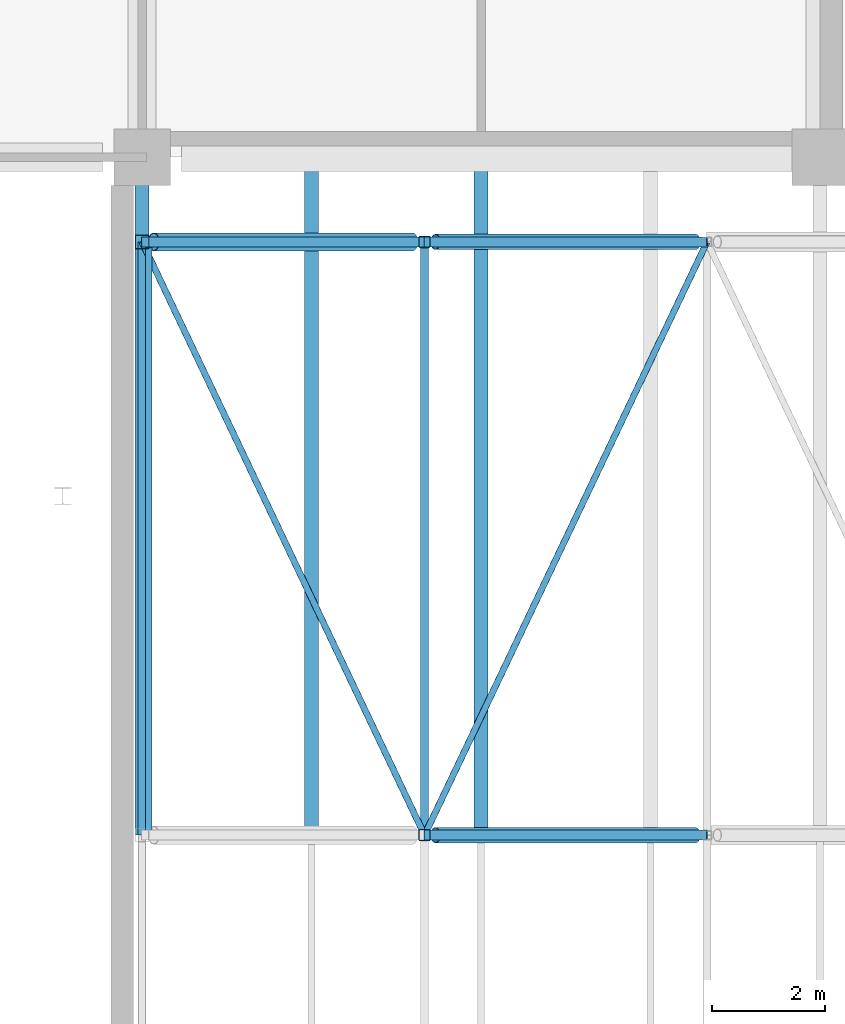
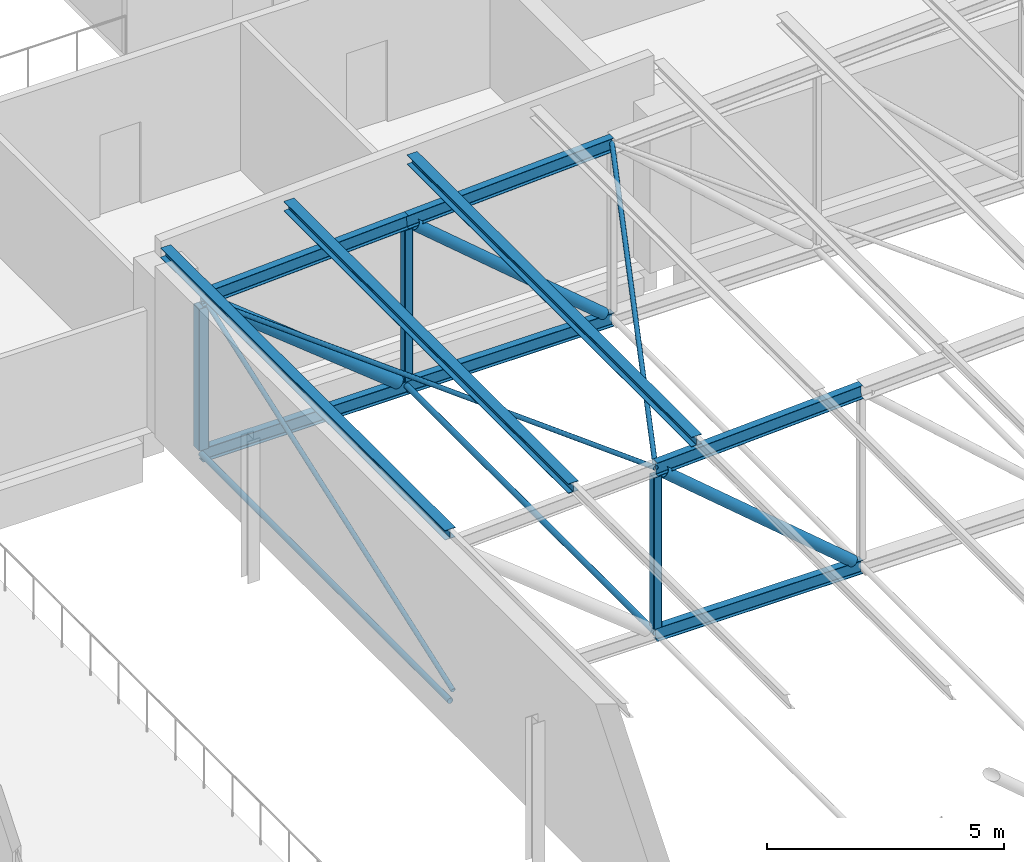
# One storey, part 105 of 156: 20 members.
"""IFC4 building model written with IfcOpenShell, lengths in metres."""

from ifc_helpers import new_model, si_unit, direction, frame, origin, origin_2d, place, context, subcontext, project, spatial, hollow_rectangle, hollow_circle, i_section, extrude, material, material_profile, profile_set, type_object, element, save


model = new_model("IFC4")

# Units and contexts
model_context = context("Model", 3, precision=1e-05, world=origin(), true_north=direction((0.0, 1.0)))
body_context = subcontext(model_context, "Body", "Model", "MODEL_VIEW")
ifc_project = project(units=[si_unit("LENGTHUNIT", "METRE"), si_unit("AREAUNIT", "SQUARE_METRE"), si_unit("VOLUMEUNIT", "CUBIC_METRE"), si_unit("PLANEANGLEUNIT", "RADIAN"), si_unit("MASSUNIT", "GRAM", prefix="KILO")], contexts=[model_context])

# Site, building, storey
site_placement = place(None, origin())
site = spatial("IfcSite", under=ifc_project, at=site_placement, CompositionType="ELEMENT")
building_placement = place(site_placement, origin())
building = spatial("IfcBuilding", under=site, at=building_placement, Name="Lilac Gate Convention Centre", CompositionType="ELEMENT")
storey_placement = place(building_placement, frame((0.0, 0.0, 17.0)))
storey = spatial("IfcBuildingStorey", under=building, at=storey_placement, Name="L03", CompositionType="ELEMENT", Elevation=17.0)

# Members
ifc_material = material(Name="Steel Q355B", Category="steel")
ifc_material_profile_1 = material_profile(ifc_material, hollow_circle(Radius=0.06982421875, WallThickness=0.0048828125, at=origin_2d()), Name="CHS139.7x5")
ifc_profile_set_1 = profile_set([ifc_material_profile_1], Name="Steel Q355B")
member_type_1 = type_object("IfcMemberType", Name="Bottom chord tie CHS139.7x5", PredefinedType="STRUT", material=ifc_profile_set_1)
for number, where, z_axis, x_axis, name in (
    (1, (30.0, 210.00341796875, 0.0), (0.0, 1.0, 0.0), (-1.0, 0.0, 0.0), "ST1 tie bay 16 node 1"),
    (2, (35.0, 210.00341796875, 0.0), (0.0, 1.0, 0.0), (-1.0, 0.0, 0.0), "ST1 tie bay 16 node 2"),
):
    element("IfcMember", number, at=place(storey_placement, frame(where, z_axis=z_axis, x_axis=x_axis)), inside=storey, type_object=member_type_1, Name=name, PredefinedType="STRUT", context=body_context, shape_type="SweptSolid", body=[
        extrude(hollow_circle(Radius=0.06982421875, WallThickness=0.0048828125, at=origin_2d()), origin(), (0.0, 0.0, 1.0), 10.4931640625),
    ])
ifc_material_profile_2 = material_profile(ifc_material, hollow_circle(Radius=0.05712890625, WallThickness=0.0048828125, at=origin_2d()), Name="CHS114.3x5")
ifc_profile_set_2 = profile_set([ifc_material_profile_2], Name="Steel Q355B")
member_type_2 = type_object("IfcMemberType", Name="Roof plane bracing CHS114.3x5", PredefinedType="BRACE", material=ifc_profile_set_2)
for number, where, z_axis, x_axis, name in (
    (3, (30.001708984375, 220.49658203125, 4.0), (0.429822733315, -0.902657142475, 0.021505837922), (0.902865954854, 0.429922164543, 0.0), "BR1 plan bracing bay 16 panel 1"),
    (4, (35.001708984375, 210.00341796875, 4.25), (0.429822733315, 0.902657142475, 0.021505837922), (-0.902865954854, 0.429922164543, 0.0), "BR1 plan bracing bay 16 panel 2"),
):
    element("IfcMember", number, at=place(storey_placement, frame(where, z_axis=z_axis, x_axis=x_axis)), inside=storey, type_object=member_type_2, Name=name, PredefinedType="BRACE", context=body_context, shape_type="SweptSolid", body=[
        extrude(hollow_circle(Radius=0.05712890625, WallThickness=0.0048828125, at=origin_2d()), origin(), (0.0, 0.0, 1.0), 11.624755859375),
    ])
ifc_material_profile_3 = material_profile(ifc_material, i_section(OverallWidth=0.25, OverallDepth=0.25, WebThickness=0.009033203125, FlangeThickness=0.013916015625, FilletRadius=0.012939453125, at=origin_2d()), Name="HW250x250x9x14")
ifc_profile_set_3 = profile_set([ifc_material_profile_3], Name="Steel Q355B")
member_type_3 = type_object("IfcMemberType", Name="Roof purlin HW250x250x9x14", PredefinedType="PURLIN", material=ifc_profile_set_3)
for number, where, z_axis, x_axis, name in (
    (5, (30.0, 210.0, 4.30029296875), (0.0, 1.0, 0.0), (-1.0, 0.0, 0.0), "PU1 purlin bay 16 line 1"),
    (6, (33.0, 210.0, 4.4501953125), (0.0, 1.0, 0.0), (-1.0, 0.0, 0.0), "PU1 purlin bay 16 line 2"),
    (7, (36.0, 210.0, 4.60009765625), (0.0, 1.0, 0.0), (-1.0, 0.0, 0.0), "PU1 purlin bay 16 line 3"),
):
    element("IfcMember", number, at=place(storey_placement, frame(where, z_axis=z_axis, x_axis=x_axis)), inside=storey, type_object=member_type_3, Name=name, PredefinedType="PURLIN", context=body_context, shape_type="SweptSolid", body=[
        extrude(i_section(OverallWidth=0.25, OverallDepth=0.25, WebThickness=0.009033203125, FlangeThickness=0.013916015625, FilletRadius=0.012939453125, at=origin_2d()), origin(), (0.0, 0.0, 1.0), 12.0),
    ])
ifc_material_profile_4 = material_profile(ifc_material, i_section(OverallWidth=0.175048828125, OverallDepth=0.35009765625, WebThickness=0.007080078125, FlangeThickness=0.010986328125, FilletRadius=0.012939453125, at=origin_2d()), Name="HN350x175x7x11")
ifc_profile_set_4 = profile_set([ifc_material_profile_4], Name="Steel Q355B")
member_type_4 = type_object("IfcMemberType", Name="Truss bottom chord HN350x175x7x11", PredefinedType="CHORD", material=ifc_profile_set_4)
for number, where, z_axis, x_axis, name in (
    (8, (35.0, 210.0, 0.0), (1.0, 0.0, 0.0), (0.0, 1.0, 0.0), "TB1 truss 16 bottom chord 2"),
    (9, (30.0, 220.5, 0.0), (1.0, 0.0, 0.0), (0.0, 1.0, 0.0), "TB1 truss 17 bottom chord 1"),
    (10, (35.0, 220.5, 0.0), (1.0, 0.0, 0.0), (0.0, 1.0, 0.0), "TB1 truss 17 bottom chord 2"),
):
    element("IfcMember", number, at=place(storey_placement, frame(where, z_axis=z_axis, x_axis=x_axis)), inside=storey, type_object=member_type_4, Name=name, PredefinedType="CHORD", context=body_context, shape_type="SweptSolid", body=[
        extrude(i_section(OverallWidth=0.175048828125, OverallDepth=0.35009765625, WebThickness=0.007080078125, FlangeThickness=0.010986328125, FilletRadius=0.012939453125, at=origin_2d()), origin(), (0.0, 0.0, 1.0), 5.0),
    ])
ifc_material_profile_5 = material_profile(ifc_material, hollow_circle(Radius=0.136474609375, WallThickness=0.010009765625, at=origin_2d()), Name="CHS273x10")
ifc_profile_set_5 = profile_set([ifc_material_profile_5], Name="Steel Q355B")
member_type_5 = type_object("IfcMemberType", Name="Truss diagonal CHS273x10", PredefinedType="BRACE", material=ifc_profile_set_5)
for number, where, z_axis, x_axis, name in (
    (11, (35.193115234375, 210.0, 4.085693359375), (0.761961263863, 0.0, -0.647622600263), (0.0, 1.0, 0.0), "TW2 truss 16 diagonal 2"),
    (12, (35.193115234375, 220.5, 4.085693359375), (0.761961263863, 0.0, -0.647622600263), (0.0, 1.0, 0.0), "TW2 truss 17 diagonal 2"),
):
    element("IfcMember", number, at=place(storey_placement, frame(where, z_axis=z_axis, x_axis=x_axis)), inside=storey, type_object=member_type_5, Name=name, PredefinedType="BRACE", context=body_context, shape_type="SweptSolid", body=[
        extrude(hollow_circle(Radius=0.136474609375, WallThickness=0.010009765625, at=origin_2d()), origin(), (0.0, 0.0, 1.0), 6.03857421875),
    ])
ifc_material_profile_6 = material_profile(ifc_material, hollow_circle(Radius=0.161865234375, WallThickness=0.011962890625, at=origin_2d()), Name="CHS323.9x12")
ifc_profile_set_6 = profile_set([ifc_material_profile_6], Name="Steel Q355B")
member_type_6 = type_object("IfcMemberType", Name="Truss diagonal CHS323.9x12", PredefinedType="BRACE", material=ifc_profile_set_6)
member_1_placement = place(storey_placement, frame((30.205322265625, 220.5, 3.835693359375), z_axis=(0.780876938611, 0.0, -0.624684885959), x_axis=(0.0, 1.0, 0.0)))
element("IfcMember", 13, at=member_1_placement, inside=storey, type_object=member_type_6, Name="TW1 truss 17 diagonal 1", PredefinedType="BRACE", context=body_context, shape_type="SweptSolid", body=[
    extrude(hollow_circle(Radius=0.161865234375, WallThickness=0.011962890625, at=origin_2d()), origin(), (0.0, 0.0, 1.0), 5.860107421875),
])
ifc_material_profile_7 = material_profile(ifc_material, i_section(OverallWidth=0.175048828125, OverallDepth=0.35009765625, WebThickness=0.007080078125, FlangeThickness=0.010986328125, FilletRadius=0.012939453125, at=origin_2d()), Name="HN350x175x7x11")
ifc_profile_set_7 = profile_set([ifc_material_profile_7], Name="Steel Q355B")
member_type_7 = type_object("IfcMemberType", Name="Truss top chord HN350x175x7x11", PredefinedType="CHORD", material=ifc_profile_set_7)
for number, where, z_axis, x_axis, name in (
    (14, (35.0, 210.0, 4.25), (0.998752338878, 0.0, 0.049937616944), (0.0, 1.0, 0.0), "TT1 truss 16 top chord 2"),
    (15, (30.0, 220.5, 4.0), (0.998752338878, 0.0, 0.049937616944), (0.0, 1.0, 0.0), "TT1 truss 17 top chord 1"),
    (16, (35.0, 220.5, 4.25), (0.998752338878, 0.0, 0.049937616944), (0.0, 1.0, 0.0), "TT1 truss 17 top chord 2"),
):
    element("IfcMember", number, at=place(storey_placement, frame(where, z_axis=z_axis, x_axis=x_axis)), inside=storey, type_object=member_type_7, Name=name, PredefinedType="CHORD", context=body_context, shape_type="SweptSolid", body=[
        extrude(i_section(OverallWidth=0.175048828125, OverallDepth=0.35009765625, WebThickness=0.007080078125, FlangeThickness=0.010986328125, FilletRadius=0.012939453125, at=origin_2d()), origin(), (0.0, 0.0, 1.0), 5.00634765625),
    ])
ifc_material_profile_8 = material_profile(ifc_material, hollow_rectangle(XDim=0.199951171875, YDim=0.199951171875, WallThickness=0.008056640625, InnerFilletRadius=0.011962890625, OuterFilletRadius=0.02001953125, at=origin_2d()), Name="SHS200x200x8")
ifc_profile_set_8 = profile_set([ifc_material_profile_8], Name="Steel Q355B")
member_type_8 = type_object("IfcMemberType", Name="Truss vertical SHS200x200x8", PredefinedType="STRUT", material=ifc_profile_set_8)
for number, where, z_axis, x_axis, name in (
    (17, (35.0, 210.0, 0.175048828125), (0.0, 0.0, 1.0), (1.0, 0.0, 0.0), "TV2 truss 16 vertical 2"),
    (18, (35.0, 220.5, 0.175048828125), (0.0, 0.0, 1.0), (1.0, 0.0, 0.0), "TV2 truss 17 vertical 2"),
):
    element("IfcMember", number, at=place(storey_placement, frame(where, z_axis=z_axis, x_axis=x_axis)), inside=storey, type_object=member_type_8, Name=name, PredefinedType="STRUT", context=body_context, shape_type="SweptSolid", body=[
        extrude(hollow_rectangle(XDim=0.199951171875, YDim=0.199951171875, WallThickness=0.008056640625, InnerFilletRadius=0.011962890625, OuterFilletRadius=0.02001953125, at=origin_2d()), origin(), (0.0, 0.0, 1.0), 3.899658203125),
    ])
ifc_material_profile_9 = material_profile(ifc_material, hollow_rectangle(XDim=0.25, YDim=0.25, WallThickness=0.010009765625, InnerFilletRadius=0.014892578125, OuterFilletRadius=0.02490234375, at=origin_2d()), Name="SHS250x250x10")
ifc_profile_set_9 = profile_set([ifc_material_profile_9], Name="Steel Q355B")
member_type_9 = type_object("IfcMemberType", Name="Truss vertical SHS250x250x10", PredefinedType="STRUT", material=ifc_profile_set_9)
member_2_placement = place(storey_placement, frame((30.0, 220.5, 0.175048828125), z_axis=(0.0, 0.0, 1.0), x_axis=(1.0, 0.0, 0.0)))
element("IfcMember", 19, at=member_2_placement, inside=storey, type_object=member_type_9, Name="TV1 truss 17 vertical 1", PredefinedType="STRUT", context=body_context, shape_type="SweptSolid", body=[
    extrude(hollow_rectangle(XDim=0.25, YDim=0.25, WallThickness=0.010009765625, InnerFilletRadius=0.014892578125, OuterFilletRadius=0.02490234375, at=origin_2d()), origin(), (0.0, 0.0, 1.0), 3.649658203125),
])
ifc_material_profile_10 = material_profile(ifc_material, hollow_circle(Radius=0.05712890625, WallThickness=0.006103515625, at=origin_2d()), Name="CHS114.3x6")
ifc_profile_set_10 = profile_set([ifc_material_profile_10], Name="Steel Q355B")
member_type_10 = type_object("IfcMemberType", Name="Vertical bracing CHS114.3x6", PredefinedType="BRACE", material=ifc_profile_set_10)
member_3_placement = place(storey_placement, frame((30.1201171875, 210.08740234375, 0.175048828125), z_axis=(0.0, 0.94265820088, 0.333759668495), x_axis=(-1.0, 0.0, 0.0)))
element("IfcMember", 20, at=member_3_placement, inside=storey, type_object=member_type_10, Name="BR2 vertical bracing bay 16 line 1", PredefinedType="BRACE", context=body_context, shape_type="SweptSolid", body=[
    extrude(hollow_circle(Radius=0.05712890625, WallThickness=0.006103515625, at=origin_2d()), origin(), (0.0, 0.0, 1.0), 10.953369140625),
])

save(model, "model.ifc")
